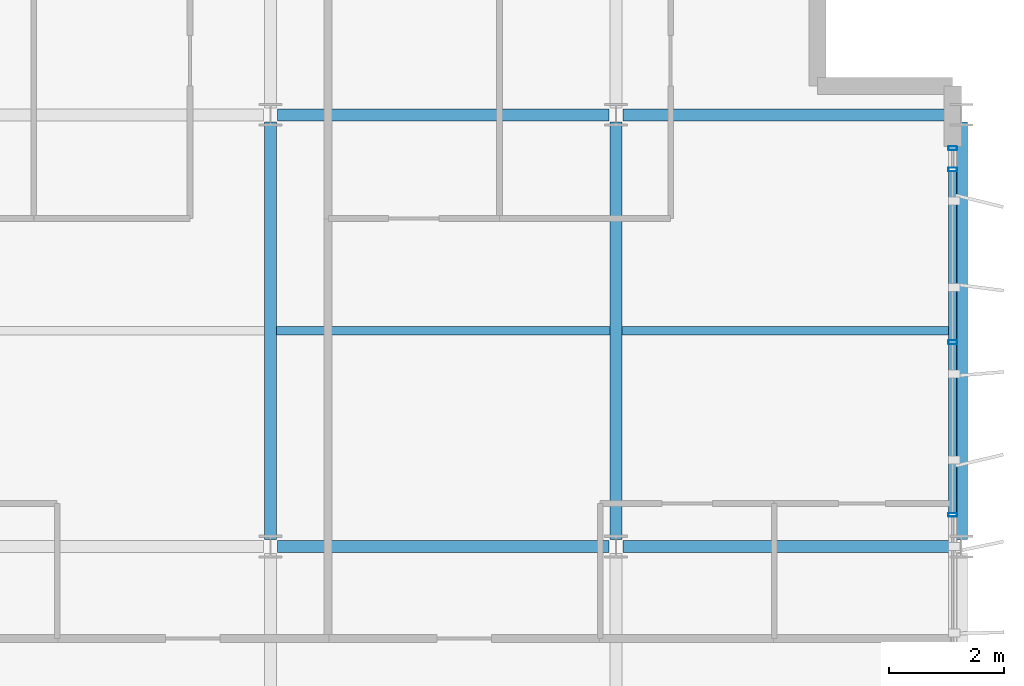
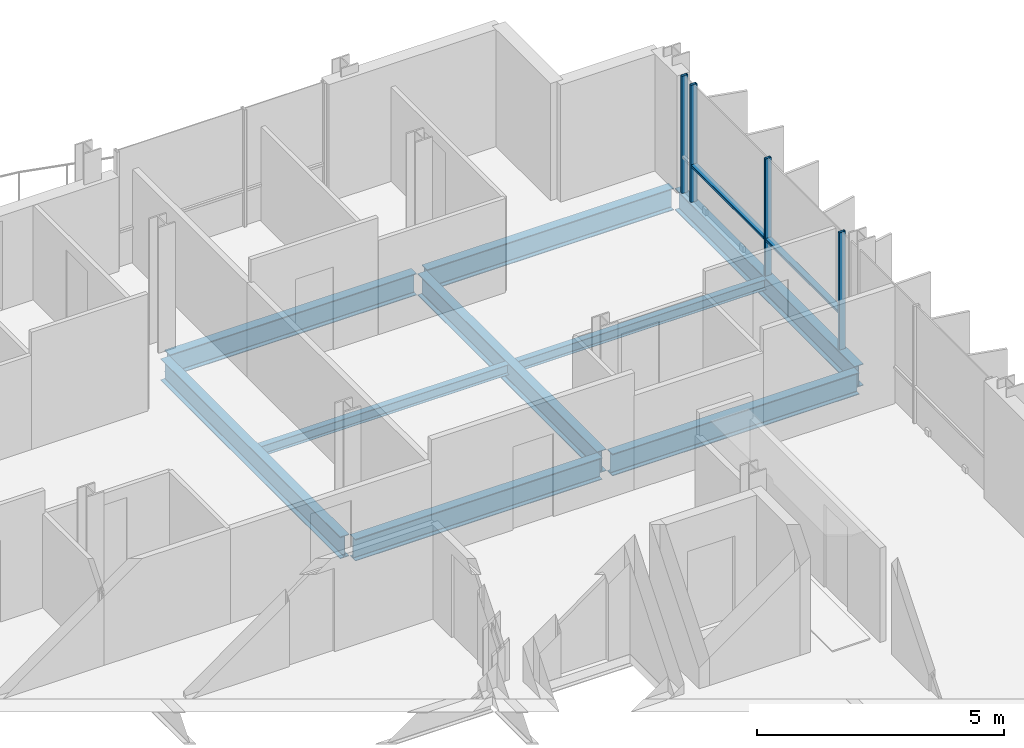
# One storey, part 12 of 28: 9 beams, 6 members, 1 element without a shape of its own.
"""IFC4 building model written with IfcOpenShell, lengths in metres."""

from ifc_helpers import new_model, si_unit, direction, frame, origin, origin_2d, place, context, subcontext, project, spatial, hollow_rectangle, i_section, extrude, material, layer, layer_set, material_profile, profile_set, type_object, element, aggregate, save


model = new_model("IFC4")

# Units and contexts
model_context = context("Model", 3, precision=1e-05, world=origin(), true_north=direction((0.0, 1.0)))
body_context = subcontext(model_context, "Body", "Model", "MODEL_VIEW")
ifc_project = project(units=[si_unit("LENGTHUNIT", "METRE"), si_unit("AREAUNIT", "SQUARE_METRE"), si_unit("VOLUMEUNIT", "CUBIC_METRE"), si_unit("PLANEANGLEUNIT", "RADIAN"), si_unit("MASSUNIT", "GRAM", prefix="KILO")], contexts=[model_context])

# Site, building, storey
site_placement = place(None, origin())
site = spatial("IfcSite", under=ifc_project, at=site_placement, CompositionType="ELEMENT")
building_placement = place(site_placement, origin())
building = spatial("IfcBuilding", under=site, at=building_placement, Name="Brevholm Reach", CompositionType="ELEMENT")
storey_placement = place(building_placement, frame((0.0, 0.0, 192.5)))
storey = spatial("IfcBuildingStorey", under=building, at=storey_placement, Name="L58", CompositionType="ELEMENT", Elevation=192.5)

# Beams
ifc_material_1 = material(Name="Structural Steel S355J2", Category="steel")
ifc_material_profile_1 = material_profile(ifc_material_1, i_section(OverallWidth=0.14599609375, OverallDepth=0.25146484375, WebThickness=0.006103515625, FlangeThickness=0.008544921875, FilletRadius=0.007568359375, at=origin_2d()), Name="UKB 254x146x31")
ifc_profile_set_1 = profile_set([ifc_material_profile_1], Name="Structural Steel S355J2")
beam_type_1 = type_object("IfcBeamType", Name="BM-B254", PredefinedType="BEAM", material=ifc_profile_set_1)
beam_1_placement = place(storey_placement, frame((48.10546875, 19.75, -0.335693359375), z_axis=(1.0, 0.0, 0.0), x_axis=(0.0, 1.0, 0.0)))
element("IfcBeam", 1, at=beam_1_placement, inside=storey, type_object=beam_type_1, Name="L58 Composite Secondary Floor Beam", PredefinedType="BEAM", context=body_context, shape_type="SweptSolid", body=[
    extrude(i_section(OverallWidth=0.14599609375, OverallDepth=0.25146484375, WebThickness=0.006103515625, FlangeThickness=0.008544921875, FilletRadius=0.007568359375, at=origin_2d()), origin(), (0.0, 0.0, 1.0), 5.7890625),
])
beam_2_placement = place(storey_placement, frame((54.10546875, 19.75, -0.335693359375), z_axis=(1.0, 0.0, 0.0), x_axis=(0.0, 1.0, 0.0)))
element("IfcBeam", 2, at=beam_2_placement, inside=storey, type_object=beam_type_1, Name="L58 Composite Secondary Floor Beam", PredefinedType="BEAM", context=body_context, shape_type="SweptSolid", body=[
    extrude(i_section(OverallWidth=0.14599609375, OverallDepth=0.25146484375, WebThickness=0.006103515625, FlangeThickness=0.008544921875, FilletRadius=0.007568359375, at=origin_2d()), origin(), (0.0, 0.0, 1.0), 5.789794921875),
])
ifc_material_2 = material(Name="Structural Steel S355J2", Category="steel")
ifc_material_profile_2 = material_profile(ifc_material_2, i_section(OverallWidth=0.209228515625, OverallDepth=0.533203125, WebThickness=0.010009765625, FlangeThickness=0.015625, FilletRadius=0.0126953125, at=origin_2d()), Name="UKB 533x210x92")
ifc_profile_set_2 = profile_set([ifc_material_profile_2], Name="Structural Steel S355J2")
beam_type_2 = type_object("IfcBeamType", Name="BM-SP533", PredefinedType="SPANDREL", material=ifc_profile_set_2)
beam_3_placement = place(storey_placement, frame((60.0, 16.1201171875, -0.4765625), z_axis=(0.0, 1.0, 0.0), x_axis=(-1.0, 0.0, 0.0)))
element("IfcBeam", 3, at=beam_3_placement, inside=storey, type_object=beam_type_2, Name="L58 SP-02 Framing Beam", PredefinedType="SPANDREL", context=body_context, shape_type="SweptSolid", body=[
    extrude(i_section(OverallWidth=0.209228515625, OverallDepth=0.533203125, WebThickness=0.010009765625, FlangeThickness=0.015625, FilletRadius=0.0126953125, at=origin_2d()), origin(), (0.0, 0.0, 1.0), 7.259765625),
])
ifc_material_3 = material(Name="Structural Steel S355J2", Category="steel")
ifc_material_profile_3 = material_profile(ifc_material_3, i_section(OverallWidth=0.210693359375, OverallDepth=0.53955078125, WebThickness=0.01171875, FlangeThickness=0.018798828125, FilletRadius=0.0126953125, at=origin_2d()), Name="UKB 533x210x109")
ifc_profile_set_3 = profile_set([ifc_material_profile_3], Name="Structural Steel S355J2")
beam_type_3 = type_object("IfcBeamType", Name="BM-SP539", PredefinedType="SPANDREL", material=ifc_profile_set_3)
for number, where, z_axis, x_axis, name in (
    (4, (48.1201171875, 16.0, -0.479736328125), (1.0, 0.0, 0.0), (0.0, 1.0, 0.0), "L58 SP-01B Framing Beam"),
    (5, (54.1201171875, 16.0, -0.479736328125), (1.0, 0.0, 0.0), (0.0, 1.0, 0.0), "L58 SP-01B Framing Beam"),
    (6, (48.1201171875, 23.5, -0.479736328125), (1.0, 0.0, 0.0), (0.0, 1.0, 0.0), "L58 SP-01B Framing Beam"),
    (7, (54.1201171875, 23.5, -0.479736328125), (1.0, 0.0, 0.0), (0.0, 1.0, 0.0), "L58 SP-01B Framing Beam"),
):
    element("IfcBeam", number, at=place(storey_placement, frame(where, z_axis=z_axis, x_axis=x_axis)), inside=storey, type_object=beam_type_3, Name=name, PredefinedType="SPANDREL", context=body_context, shape_type="SweptSolid", body=[
        extrude(i_section(OverallWidth=0.210693359375, OverallDepth=0.53955078125, WebThickness=0.01171875, FlangeThickness=0.018798828125, FilletRadius=0.0126953125, at=origin_2d()), origin(), (0.0, 0.0, 1.0), 5.759765625),
    ])
for number, where, z_axis, x_axis, name in (
    (8, (48.0, 16.1201171875, -0.479736328125), (0.0, 1.0, 0.0), (-1.0, 0.0, 0.0), "L58 SP-01B Framing Beam"),
    (9, (54.0, 16.1201171875, -0.479736328125), (0.0, 1.0, 0.0), (-1.0, 0.0, 0.0), "L58 SP-01B Framing Beam"),
):
    element("IfcBeam", number, at=place(storey_placement, frame(where, z_axis=z_axis, x_axis=x_axis)), inside=storey, type_object=beam_type_3, Name=name, PredefinedType="SPANDREL", context=body_context, shape_type="SweptSolid", body=[
        extrude(i_section(OverallWidth=0.210693359375, OverallDepth=0.53955078125, WebThickness=0.01171875, FlangeThickness=0.018798828125, FilletRadius=0.0126953125, at=origin_2d()), origin(), (0.0, 0.0, 1.0), 7.259765625),
    ])

# Curtain wall, members
ifc_material_4 = material(Name="Dark Anodised Aluminium 6063-T6 and Solar-Control Glass", Category="aluminium")
ifc_layer = layer(ifc_material_4, 0.14990234375)
ifc_layer_set = layer_set([ifc_layer], Name="Dark Anodised Aluminium 6063-T6 and Solar-Control Glass")
curtain_wall_type = type_object("IfcCurtainWallType", Name="CW-01", PredefinedType="NOTDEFINED", material=ifc_layer_set)
curtain_wall_placement = place(storey_placement, origin())
curtain_wall = element("IfcCurtainWall", 10, at=curtain_wall_placement, inside=storey, type_object=curtain_wall_type, Name="L58 Curtain Wall CW-01", PredefinedType="NOTDEFINED")
ifc_material_5 = material(Name="Dark Anodised Aluminium 6063-T6", Category="aluminium")
ifc_material_profile_4 = material_profile(ifc_material_5, hollow_rectangle(XDim=0.06494140625, YDim=0.14990234375, WallThickness=0.0048828125, InnerFilletRadius=0.0048828125, OuterFilletRadius=0.010009765625, at=origin_2d()), Name="RHS 150x65x5")
ifc_profile_set_4 = profile_set([ifc_material_profile_4], Name="Dark Anodised Aluminium 6063-T6")
member_type_1 = type_object("IfcMemberType", Name="CWM-150", PredefinedType="MULLION", material=ifc_profile_set_4)
member_1_placement = place(storey_placement, frame((59.85009765625, 16.550048828125, 0.0), z_axis=(0.0, 0.0, 1.0), x_axis=(0.0, 1.0, 0.0)))
member_1 = element("IfcMember", 11, at=member_1_placement, type_object=member_type_1, Name="CM-150 Mullion 3", PredefinedType="MULLION", context=body_context, shape_type="SweptSolid", body=[
    extrude(hollow_rectangle(XDim=0.06494140625, YDim=0.14990234375, WallThickness=0.0048828125, InnerFilletRadius=0.0048828125, OuterFilletRadius=0.010009765625, at=origin_2d()), origin(), (0.0, 0.0, 1.0), 2.889892578125),
])
member_2_placement = place(storey_placement, frame((59.85009765625, 19.550048828125, 0.0), z_axis=(0.0, 0.0, 1.0), x_axis=(0.0, 1.0, 0.0)))
member_2 = element("IfcMember", 12, at=member_2_placement, type_object=member_type_1, Name="CM-150 Mullion 4", PredefinedType="MULLION", context=body_context, shape_type="SweptSolid", body=[
    extrude(hollow_rectangle(XDim=0.06494140625, YDim=0.14990234375, WallThickness=0.0048828125, InnerFilletRadius=0.0048828125, OuterFilletRadius=0.010009765625, at=origin_2d()), origin(), (0.0, 0.0, 1.0), 2.889892578125),
])
member_3_placement = place(storey_placement, frame((59.85009765625, 22.550048828125, 0.0), z_axis=(0.0, 0.0, 1.0), x_axis=(0.0, 1.0, 0.0)))
member_3 = element("IfcMember", 13, at=member_3_placement, type_object=member_type_1, Name="CM-150 Mullion 5", PredefinedType="MULLION", context=body_context, shape_type="SweptSolid", body=[
    extrude(hollow_rectangle(XDim=0.06494140625, YDim=0.14990234375, WallThickness=0.0048828125, InnerFilletRadius=0.0048828125, OuterFilletRadius=0.010009765625, at=origin_2d()), origin(), (0.0, 0.0, 1.0), 2.889892578125),
])
member_4_placement = place(storey_placement, frame((59.85009765625, 22.91748046875, 0.0), z_axis=(0.0, 0.0, 1.0), x_axis=(0.0, 1.0, 0.0)))
member_4 = element("IfcMember", 14, at=member_4_placement, type_object=member_type_1, Name="CM-150 Mullion 6", PredefinedType="MULLION", context=body_context, shape_type="SweptSolid", body=[
    extrude(hollow_rectangle(XDim=0.06494140625, YDim=0.14990234375, WallThickness=0.0048828125, InnerFilletRadius=0.0048828125, OuterFilletRadius=0.010009765625, at=origin_2d()), origin(), (0.0, 0.0, 1.0), 2.889892578125),
])
ifc_material_6 = material(Name="Dark Anodised Aluminium 6063-T6", Category="aluminium")
ifc_material_profile_5 = material_profile(ifc_material_6, hollow_rectangle(XDim=0.06494140625, YDim=0.14990234375, WallThickness=0.0048828125, InnerFilletRadius=0.0048828125, OuterFilletRadius=0.010009765625, at=origin_2d()), Name="RHS 150x65x5")
ifc_profile_set_5 = profile_set([ifc_material_profile_5], Name="Dark Anodised Aluminium 6063-T6")
member_type_2 = type_object("IfcMemberType", Name="CWT-150", PredefinedType="NOTDEFINED", material=ifc_profile_set_5)
member_5_placement = place(storey_placement, frame((59.85009765625, 16.58251953125, 0.89990234375), z_axis=(0.0, 1.0, 0.0), x_axis=(0.0, 0.0, 1.0)))
member_5 = element("IfcMember", 15, at=member_5_placement, type_object=member_type_2, Name="CT-150 Transom 3.1", ObjectType="TRANSOM", PredefinedType="USERDEFINED", context=body_context, shape_type="SweptSolid", body=[
    extrude(hollow_rectangle(XDim=0.06494140625, YDim=0.14990234375, WallThickness=0.0048828125, InnerFilletRadius=0.0048828125, OuterFilletRadius=0.010009765625, at=origin_2d()), origin(), (0.0, 0.0, 1.0), 2.93505859375),
])
member_6_placement = place(storey_placement, frame((59.85009765625, 19.58251953125, 0.89990234375), z_axis=(0.0, 1.0, 0.0), x_axis=(0.0, 0.0, 1.0)))
member_6 = element("IfcMember", 16, at=member_6_placement, type_object=member_type_2, Name="CT-150 Transom 4.1", ObjectType="TRANSOM", PredefinedType="USERDEFINED", context=body_context, shape_type="SweptSolid", body=[
    extrude(hollow_rectangle(XDim=0.06494140625, YDim=0.14990234375, WallThickness=0.0048828125, InnerFilletRadius=0.0048828125, OuterFilletRadius=0.010009765625, at=origin_2d()), origin(), (0.0, 0.0, 1.0), 2.93505859375),
])
aggregate(curtain_wall, [member_1, member_2, member_3, member_4, member_5, member_6])

save(model, "model.ifc")
